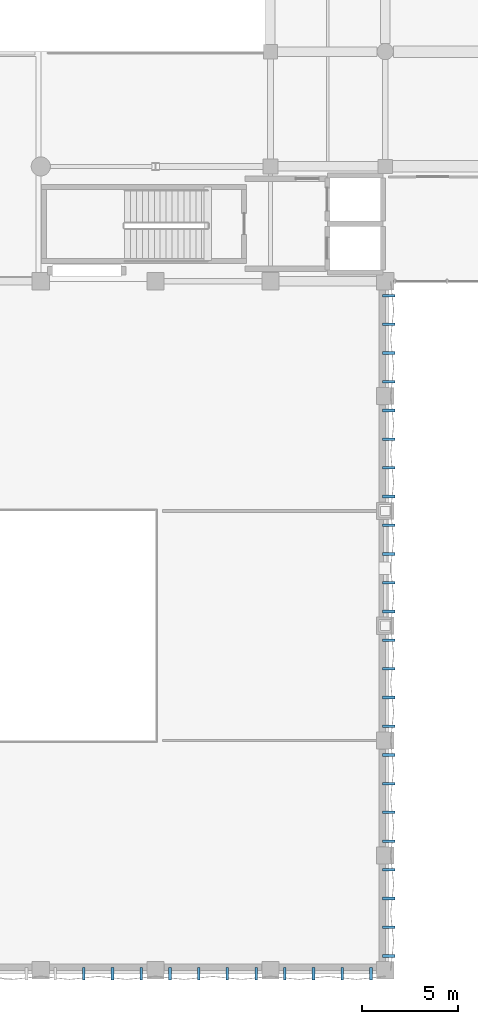
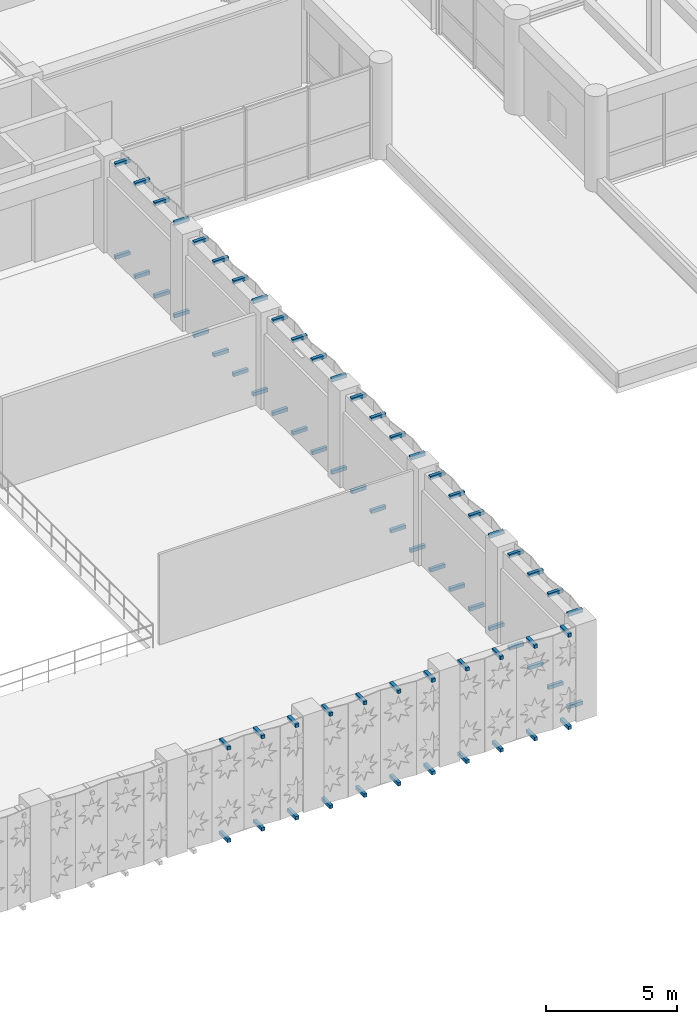
# One storey, part 119 of 133: 70 discrete accessories.
"""IFC4 building model written with IfcOpenShell, lengths in metres."""

from ifc_helpers import new_model, si_unit, direction, frame, origin, origin_2d, place, context, subcontext, project, spatial, rectangle, extrude, material, type_object, element, save


model = new_model("IFC4")

# Units and contexts
model_context = context("Model", 3, precision=1e-05, world=origin(), true_north=direction((0.0, 1.0)))
body_context = subcontext(model_context, "Body", "Model", "MODEL_VIEW")
ifc_project = project(units=[si_unit("LENGTHUNIT", "METRE"), si_unit("AREAUNIT", "SQUARE_METRE"), si_unit("VOLUMEUNIT", "CUBIC_METRE"), si_unit("PLANEANGLEUNIT", "RADIAN"), si_unit("MASSUNIT", "GRAM", prefix="KILO"), si_unit("THERMODYNAMICTEMPERATUREUNIT", "KELVIN"), si_unit("POWERUNIT", "WATT")], contexts=[model_context])

# Site, building, storey
site_placement = place(None, origin())
site = spatial("IfcSite", under=ifc_project, at=site_placement, CompositionType="ELEMENT")
building_placement = place(site_placement, origin())
building = spatial("IfcBuilding", under=site, at=building_placement, Name="Phaisarnlok Congress Hotel", CompositionType="ELEMENT")
storey_placement = place(building_placement, frame((0.0, 0.0, 6.0)))
storey = spatial("IfcBuildingStorey", under=building, at=storey_placement, Name="L01", CompositionType="ELEMENT", Elevation=6.0)

# Discrete accessories
ifc_material = material(Name="Steel S355", Category="steel")
discrete_accessory_type = type_object("IfcDiscreteAccessoryType", Name="ACC-BRK-STL", PredefinedType="BRACKET", material=ifc_material)
for number, where, z_axis, x_axis, name in (
    (1, (128.25, -0.183837890625, -0.18017578125), (0.0, 0.0, 1.0), (1.0, 0.0, 0.0), "Solar screen steel outrigger bracket BK-01"),
    (2, (128.25, -0.183837890625, 4.1201171875), (0.0, 0.0, 1.0), (1.0, 0.0, 0.0), "Solar screen steel outrigger bracket BK-01"),
    (3, (129.75, -0.183837890625, -0.18017578125), (0.0, 0.0, 1.0), (1.0, 0.0, 0.0), "Solar screen steel outrigger bracket BK-01"),
    (4, (129.75, -0.183837890625, 4.1201171875), (0.0, 0.0, 1.0), (1.0, 0.0, 0.0), "Solar screen steel outrigger bracket BK-01"),
    (5, (131.25, -0.183837890625, -0.18017578125), (0.0, 0.0, 1.0), (1.0, 0.0, 0.0), "Solar screen steel outrigger bracket BK-01"),
    (6, (131.25, -0.183837890625, 4.1201171875), (0.0, 0.0, 1.0), (1.0, 0.0, 0.0), "Solar screen steel outrigger bracket BK-01"),
    (7, (132.75, -0.183837890625, -0.18017578125), (0.0, 0.0, 1.0), (1.0, 0.0, 0.0), "Solar screen steel outrigger bracket BK-01"),
    (8, (132.75, -0.183837890625, 4.1201171875), (0.0, 0.0, 1.0), (1.0, 0.0, 0.0), "Solar screen steel outrigger bracket BK-01"),
    (9, (134.25, -0.183837890625, -0.18017578125), (0.0, 0.0, 1.0), (1.0, 0.0, 0.0), "Solar screen steel outrigger bracket BK-01"),
    (10, (134.25, -0.183837890625, 4.1201171875), (0.0, 0.0, 1.0), (1.0, 0.0, 0.0), "Solar screen steel outrigger bracket BK-01"),
    (11, (135.75, -0.183837890625, -0.18017578125), (0.0, 0.0, 1.0), (1.0, 0.0, 0.0), "Solar screen steel outrigger bracket BK-01"),
    (12, (135.75, -0.183837890625, 4.1201171875), (0.0, 0.0, 1.0), (1.0, 0.0, 0.0), "Solar screen steel outrigger bracket BK-01"),
    (13, (137.25, -0.183837890625, -0.18017578125), (0.0, 0.0, 1.0), (1.0, 0.0, 0.0), "Solar screen steel outrigger bracket BK-01"),
    (14, (137.25, -0.183837890625, 4.1201171875), (0.0, 0.0, 1.0), (1.0, 0.0, 0.0), "Solar screen steel outrigger bracket BK-01"),
    (15, (138.75, -0.183837890625, -0.18017578125), (0.0, 0.0, 1.0), (1.0, 0.0, 0.0), "Solar screen steel outrigger bracket BK-01"),
    (16, (138.75, -0.183837890625, 4.1201171875), (0.0, 0.0, 1.0), (1.0, 0.0, 0.0), "Solar screen steel outrigger bracket BK-01"),
    (17, (140.25, -0.183837890625, -0.18017578125), (0.0, 0.0, 1.0), (1.0, 0.0, 0.0), "Solar screen steel outrigger bracket BK-01"),
    (18, (140.25, -0.183837890625, 4.1201171875), (0.0, 0.0, 1.0), (1.0, 0.0, 0.0), "Solar screen steel outrigger bracket BK-01"),
    (19, (141.75, -0.183837890625, -0.18017578125), (0.0, 0.0, 1.0), (1.0, 0.0, 0.0), "Solar screen steel outrigger bracket BK-01"),
    (20, (141.75, -0.183837890625, 4.1201171875), (0.0, 0.0, 1.0), (1.0, 0.0, 0.0), "Solar screen steel outrigger bracket BK-01"),
    (21, (143.25, -0.183837890625, -0.18017578125), (0.0, 0.0, 1.0), (1.0, 0.0, 0.0), "Solar screen steel outrigger bracket BK-01"),
    (22, (143.25, -0.183837890625, 4.1201171875), (0.0, 0.0, 1.0), (1.0, 0.0, 0.0), "Solar screen steel outrigger bracket BK-01"),
):
    element("IfcDiscreteAccessory", number, at=place(storey_placement, frame(where, z_axis=z_axis, x_axis=x_axis)), inside=storey, type_object=discrete_accessory_type, Name=name, PredefinedType="BRACKET", context=body_context, shape_type="SweptSolid", body=[
        extrude(rectangle(XDim=0.139892578125, YDim=0.647705078125, at=origin_2d()), origin(), (0.0, 0.0, 1.0), 0.159912109375),
    ])
for number, where, z_axis, x_axis, name in (
    (23, (144.183837890625, 0.75, -0.18017578125), (0.0, 0.0, 1.0), (1.0, 0.0, 0.0), "Solar screen steel outrigger bracket BK-01"),
    (24, (144.183837890625, 0.75, 4.1201171875), (0.0, 0.0, 1.0), (1.0, 0.0, 0.0), "Solar screen steel outrigger bracket BK-01"),
    (25, (144.183837890625, 2.25, -0.18017578125), (0.0, 0.0, 1.0), (1.0, 0.0, 0.0), "Solar screen steel outrigger bracket BK-01"),
    (26, (144.183837890625, 2.25, 4.1201171875), (0.0, 0.0, 1.0), (1.0, 0.0, 0.0), "Solar screen steel outrigger bracket BK-01"),
    (27, (144.183837890625, 3.75, -0.18017578125), (0.0, 0.0, 1.0), (1.0, 0.0, 0.0), "Solar screen steel outrigger bracket BK-01"),
    (28, (144.183837890625, 3.75, 4.1201171875), (0.0, 0.0, 1.0), (1.0, 0.0, 0.0), "Solar screen steel outrigger bracket BK-01"),
    (29, (144.183837890625, 5.25, -0.18017578125), (0.0, 0.0, 1.0), (1.0, 0.0, 0.0), "Solar screen steel outrigger bracket BK-01"),
    (30, (144.183837890625, 5.25, 4.1201171875), (0.0, 0.0, 1.0), (1.0, 0.0, 0.0), "Solar screen steel outrigger bracket BK-01"),
    (31, (144.183837890625, 6.75, -0.18017578125), (0.0, 0.0, 1.0), (1.0, 0.0, 0.0), "Solar screen steel outrigger bracket BK-01"),
    (32, (144.183837890625, 6.75, 4.1201171875), (0.0, 0.0, 1.0), (1.0, 0.0, 0.0), "Solar screen steel outrigger bracket BK-01"),
    (33, (144.183837890625, 8.25, -0.18017578125), (0.0, 0.0, 1.0), (1.0, 0.0, 0.0), "Solar screen steel outrigger bracket BK-01"),
    (34, (144.183837890625, 8.25, 4.1201171875), (0.0, 0.0, 1.0), (1.0, 0.0, 0.0), "Solar screen steel outrigger bracket BK-01"),
    (35, (144.183837890625, 9.75, -0.18017578125), (0.0, 0.0, 1.0), (1.0, 0.0, 0.0), "Solar screen steel outrigger bracket BK-01"),
    (36, (144.183837890625, 9.75, 4.1201171875), (0.0, 0.0, 1.0), (1.0, 0.0, 0.0), "Solar screen steel outrigger bracket BK-01"),
    (37, (144.183837890625, 11.25, -0.18017578125), (0.0, 0.0, 1.0), (1.0, 0.0, 0.0), "Solar screen steel outrigger bracket BK-01"),
    (38, (144.183837890625, 11.25, 4.1201171875), (0.0, 0.0, 1.0), (1.0, 0.0, 0.0), "Solar screen steel outrigger bracket BK-01"),
    (39, (144.183837890625, 12.75, -0.18017578125), (0.0, 0.0, 1.0), (1.0, 0.0, 0.0), "Solar screen steel outrigger bracket BK-01"),
    (40, (144.183837890625, 12.75, 4.1201171875), (0.0, 0.0, 1.0), (1.0, 0.0, 0.0), "Solar screen steel outrigger bracket BK-01"),
    (41, (144.183837890625, 14.25, -0.18017578125), (0.0, 0.0, 1.0), (1.0, 0.0, 0.0), "Solar screen steel outrigger bracket BK-01"),
    (42, (144.183837890625, 14.25, 4.1201171875), (0.0, 0.0, 1.0), (1.0, 0.0, 0.0), "Solar screen steel outrigger bracket BK-01"),
    (43, (144.183837890625, 15.75, -0.18017578125), (0.0, 0.0, 1.0), (1.0, 0.0, 0.0), "Solar screen steel outrigger bracket BK-01"),
    (44, (144.183837890625, 15.75, 4.1201171875), (0.0, 0.0, 1.0), (1.0, 0.0, 0.0), "Solar screen steel outrigger bracket BK-01"),
    (45, (144.183837890625, 17.25, -0.18017578125), (0.0, 0.0, 1.0), (1.0, 0.0, 0.0), "Solar screen steel outrigger bracket BK-01"),
    (46, (144.183837890625, 17.25, 4.1201171875), (0.0, 0.0, 1.0), (1.0, 0.0, 0.0), "Solar screen steel outrigger bracket BK-01"),
    (47, (144.183837890625, 18.75, -0.18017578125), (0.0, 0.0, 1.0), (1.0, 0.0, 0.0), "Solar screen steel outrigger bracket BK-01"),
    (48, (144.183837890625, 18.75, 4.1201171875), (0.0, 0.0, 1.0), (1.0, 0.0, 0.0), "Solar screen steel outrigger bracket BK-01"),
    (49, (144.183837890625, 20.25, -0.18017578125), (0.0, 0.0, 1.0), (1.0, 0.0, 0.0), "Solar screen steel outrigger bracket BK-01"),
    (50, (144.183837890625, 20.25, 4.1201171875), (0.0, 0.0, 1.0), (1.0, 0.0, 0.0), "Solar screen steel outrigger bracket BK-01"),
    (51, (144.183837890625, 21.75, -0.18017578125), (0.0, 0.0, 1.0), (1.0, 0.0, 0.0), "Solar screen steel outrigger bracket BK-01"),
    (52, (144.183837890625, 21.75, 4.1201171875), (0.0, 0.0, 1.0), (1.0, 0.0, 0.0), "Solar screen steel outrigger bracket BK-01"),
    (53, (144.183837890625, 23.25, -0.18017578125), (0.0, 0.0, 1.0), (1.0, 0.0, 0.0), "Solar screen steel outrigger bracket BK-01"),
    (54, (144.183837890625, 23.25, 4.1201171875), (0.0, 0.0, 1.0), (1.0, 0.0, 0.0), "Solar screen steel outrigger bracket BK-01"),
    (55, (144.183837890625, 24.75, -0.18017578125), (0.0, 0.0, 1.0), (1.0, 0.0, 0.0), "Solar screen steel outrigger bracket BK-01"),
    (56, (144.183837890625, 24.75, 4.1201171875), (0.0, 0.0, 1.0), (1.0, 0.0, 0.0), "Solar screen steel outrigger bracket BK-01"),
    (57, (144.183837890625, 26.25, -0.18017578125), (0.0, 0.0, 1.0), (1.0, 0.0, 0.0), "Solar screen steel outrigger bracket BK-01"),
    (58, (144.183837890625, 26.25, 4.1201171875), (0.0, 0.0, 1.0), (1.0, 0.0, 0.0), "Solar screen steel outrigger bracket BK-01"),
    (59, (144.183837890625, 27.75, -0.18017578125), (0.0, 0.0, 1.0), (1.0, 0.0, 0.0), "Solar screen steel outrigger bracket BK-01"),
    (60, (144.183837890625, 27.75, 4.1201171875), (0.0, 0.0, 1.0), (1.0, 0.0, 0.0), "Solar screen steel outrigger bracket BK-01"),
    (61, (144.183837890625, 29.25, -0.18017578125), (0.0, 0.0, 1.0), (1.0, 0.0, 0.0), "Solar screen steel outrigger bracket BK-01"),
    (62, (144.183837890625, 29.25, 4.1201171875), (0.0, 0.0, 1.0), (1.0, 0.0, 0.0), "Solar screen steel outrigger bracket BK-01"),
    (63, (144.183837890625, 30.75, -0.18017578125), (0.0, 0.0, 1.0), (1.0, 0.0, 0.0), "Solar screen steel outrigger bracket BK-01"),
    (64, (144.183837890625, 30.75, 4.1201171875), (0.0, 0.0, 1.0), (1.0, 0.0, 0.0), "Solar screen steel outrigger bracket BK-01"),
    (65, (144.183837890625, 32.25, -0.18017578125), (0.0, 0.0, 1.0), (1.0, 0.0, 0.0), "Solar screen steel outrigger bracket BK-01"),
    (66, (144.183837890625, 32.25, 4.1201171875), (0.0, 0.0, 1.0), (1.0, 0.0, 0.0), "Solar screen steel outrigger bracket BK-01"),
    (67, (144.183837890625, 33.75, -0.18017578125), (0.0, 0.0, 1.0), (1.0, 0.0, 0.0), "Solar screen steel outrigger bracket BK-01"),
    (68, (144.183837890625, 33.75, 4.1201171875), (0.0, 0.0, 1.0), (1.0, 0.0, 0.0), "Solar screen steel outrigger bracket BK-01"),
    (69, (144.183837890625, 35.25, -0.18017578125), (0.0, 0.0, 1.0), (1.0, 0.0, 0.0), "Solar screen steel outrigger bracket BK-01"),
    (70, (144.183837890625, 35.25, 4.1201171875), (0.0, 0.0, 1.0), (1.0, 0.0, 0.0), "Solar screen steel outrigger bracket BK-01"),
):
    element("IfcDiscreteAccessory", number, at=place(storey_placement, frame(where, z_axis=z_axis, x_axis=x_axis)), inside=storey, type_object=discrete_accessory_type, Name=name, PredefinedType="BRACKET", context=body_context, shape_type="SweptSolid", body=[
        extrude(rectangle(XDim=0.647705078125, YDim=0.139892578125, at=origin_2d()), origin(), (0.0, 0.0, 1.0), 0.159912109375),
    ])

save(model, "model.ifc")
